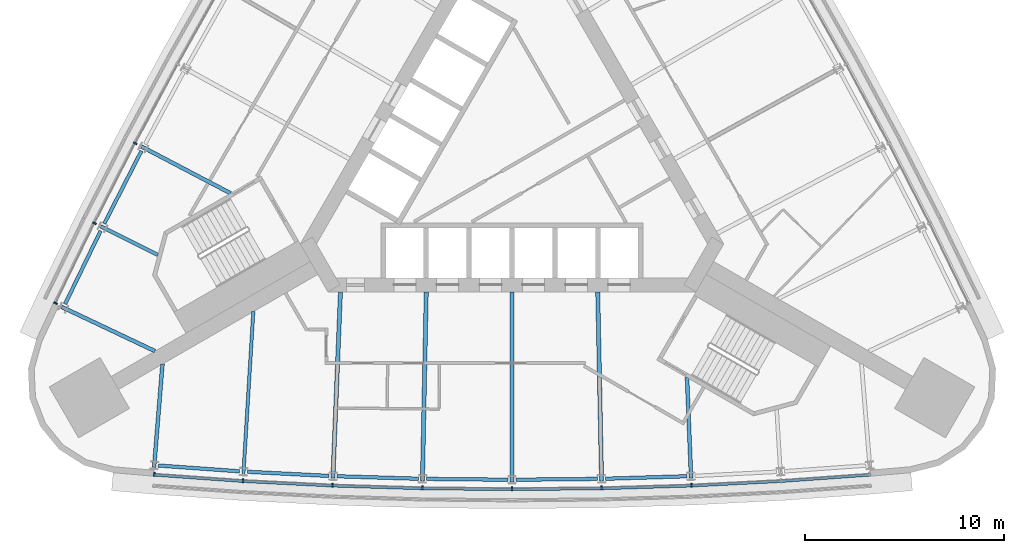
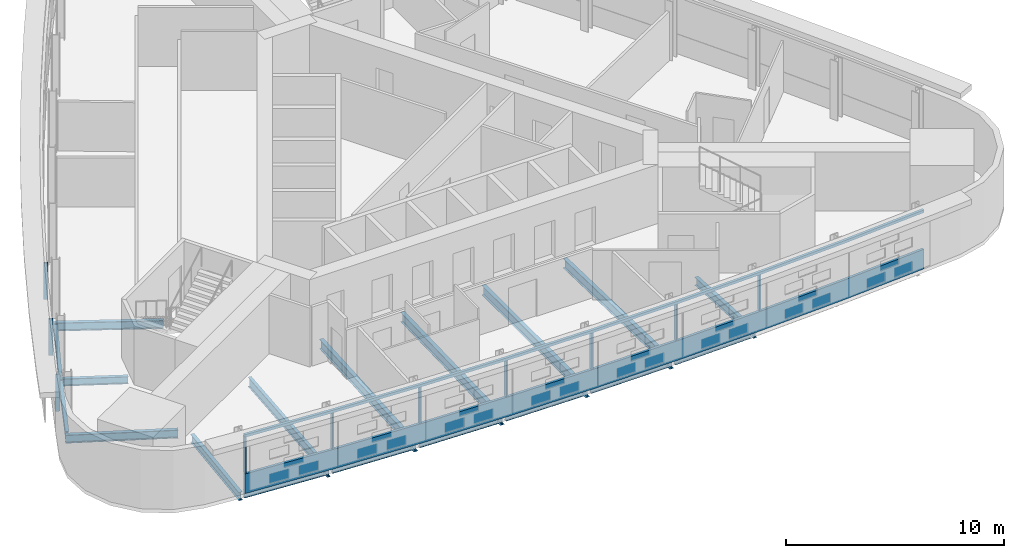
# One storey, part 2 of 11: 18 beams, 12 members, 2 elements without a shape of their own.
"""IFC4 building model written with IfcOpenShell, lengths in metres."""

from ifc_helpers import new_model, si_unit, direction, frame, origin, origin_2d, place, context, subcontext, project, spatial, polyline, rectangle, i_section, outline, extrude, material, material_profile, profile_set, type_object, element, aggregate, save


model = new_model("IFC4")

# Units and contexts
model_context = context("Model", 3, precision=1e-05, world=origin(), true_north=direction((0.0, 1.0)))
body_context = subcontext(model_context, "Body", "Model", "MODEL_VIEW")
ifc_project = project(units=[si_unit("LENGTHUNIT", "METRE"), si_unit("AREAUNIT", "SQUARE_METRE"), si_unit("VOLUMEUNIT", "CUBIC_METRE"), si_unit("PLANEANGLEUNIT", "RADIAN"), si_unit("MASSUNIT", "GRAM", prefix="KILO")], contexts=[model_context])

# Site, building, storey
site_placement = place(None, origin())
site = spatial("IfcSite", under=ifc_project, at=site_placement, CompositionType="ELEMENT")
building_placement = place(site_placement, origin())
building = spatial("IfcBuilding", under=site, at=building_placement, Name="Noor Cloister Tower", CompositionType="ELEMENT")
storey_placement = place(building_placement, frame((0.0, 0.0, 123.89990234375)))
storey = spatial("IfcBuildingStorey", under=building, at=storey_placement, Name="L32", CompositionType="ELEMENT", Elevation=123.89990234375)

# Curtain wall, member
ifc_material_1 = material(Name="Aluminium 6063-T6 anodised", Category="aluminium")
curtain_wall_type = type_object("IfcCurtainWallType", Name="Ribbon curtain wall, lower tower CW1", PredefinedType="NOTDEFINED", material=ifc_material_1)
curtain_wall_1_placement = place(storey_placement, origin())
curtain_wall_1 = element("IfcCurtainWall", 1, at=curtain_wall_1_placement, inside=storey, type_object=curtain_wall_type, Name="CW1 L32 S run 2", PredefinedType="NOTDEFINED")
ifc_material_2 = material(Name="Aluminium 6063-T6 anodised", Category="aluminium")
member_type_1 = type_object("IfcMemberType", Name="Head transom CW1 150", PredefinedType="USERDEFINED", material=ifc_material_2)
member_1_placement = place(storey_placement, frame((0.0, 0.0, 3.150146484375)))
member_1 = element("IfcMember", 2, at=member_1_placement, type_object=member_type_1, Name="CW1 head transom", ObjectType="TRANSOM", PredefinedType="USERDEFINED", context=body_context, shape_type="SweptSolid", body=[
    extrude(outline(polyline([(-17.980224609375, -16.1689453125), (-13.49169921875, -16.48828125), (-8.99755859375, -16.716552734375), (-4.499755859375, -16.853515625), (0.0, -16.899169921875), (4.499755859375, -16.853515625), (8.99755859375, -16.716552734375), (13.49169921875, -16.48828125), (17.980224609375, -16.1689453125), (17.97021484375, -16.029296875), (13.483154296875, -16.3486328125), (8.991943359375, -16.57666015625), (4.496826171875, -16.713623046875), (0.0, -16.759033203125), (-4.496826171875, -16.713623046875), (-8.991943359375, -16.57666015625), (-13.483154296875, -16.3486328125), (-17.97021484375, -16.029296875), (-17.980224609375, -16.1689453125)])), origin(), (0.0, 0.0, 1.0), 0.14990234375),
])

# Curtain wall, members
curtain_wall_2_placement = place(storey_placement, origin())
curtain_wall_2 = element("IfcCurtainWall", 3, at=curtain_wall_2_placement, inside=storey, type_object=curtain_wall_type, Name="CW1 L32 NW run 1", PredefinedType="NOTDEFINED")
ifc_material_3 = material(Name="Aluminium 6063-T6 anodised", Category="aluminium")
ifc_material_profile_1 = material_profile(ifc_material_3, rectangle(XDim=0.199951171875, YDim=0.080078125, at=origin_2d()), Name="200 x 80 mullion")
ifc_profile_set_1 = profile_set([ifc_material_profile_1], Name="Aluminium 6063-T6 anodised")
member_type_2 = type_object("IfcMemberType", Name="Mullion CW1 80 x 200", PredefinedType="MULLION", material=ifc_profile_set_1)
member_2_placement = place(storey_placement, frame((-18.88720703125, 0.519775390625, 1.10009765625), z_axis=(0.0, 0.0, 1.0), x_axis=(0.885601336169, -0.464446200733, 0.0)))
member_2 = element("IfcMember", 4, at=member_2_placement, type_object=member_type_2, Name="CW1 mullion 7", PredefinedType="MULLION", context=body_context, shape_type="SweptSolid", body=[
    extrude(rectangle(XDim=0.199951171875, YDim=0.080078125, at=origin_2d()), origin(), (0.0, 0.0, 1.0), 2.050048828125),
])
member_3_placement = place(storey_placement, frame((-20.935546875, -3.484619140625, 1.10009765625), z_axis=(0.0, 0.0, 1.0), x_axis=(0.894844162674, -0.446378678398, 0.0)))
member_3 = element("IfcMember", 5, at=member_3_placement, type_object=member_type_2, Name="CW1 mullion 8", PredefinedType="MULLION", context=body_context, shape_type="SweptSolid", body=[
    extrude(rectangle(XDim=0.199951171875, YDim=0.080078125, at=origin_2d()), origin(), (0.0, 0.0, 1.0), 2.050048828125),
])
member_4_placement = place(storey_placement, frame((-22.885498046875, -7.49462890625, 1.10009765625), z_axis=(0.0, 0.0, 1.0), x_axis=(0.899327595933, -0.437275514056, 0.0)))
member_4 = element("IfcMember", 6, at=member_4_placement, type_object=member_type_2, Name="CW1 mullion 9", PredefinedType="MULLION", context=body_context, shape_type="SweptSolid", body=[
    extrude(rectangle(XDim=0.199951171875, YDim=0.080078125, at=origin_2d()), origin(), (0.0, 0.0, 1.0), 2.050048828125),
])
aggregate(curtain_wall_2, [member_2, member_3, member_4])

# Member
member_5_placement = place(storey_placement, frame((-17.933349609375, -16.072021484375, 1.10009765625), z_axis=(0.0, 0.0, 1.0), x_axis=(0.070972094341, 0.997478301431, 0.0)))
member_5 = element("IfcMember", 7, at=member_5_placement, type_object=member_type_2, Name="CW1 mullion 1", PredefinedType="MULLION", context=body_context, shape_type="SweptSolid", body=[
    extrude(rectangle(XDim=0.199951171875, YDim=0.080078125, at=origin_2d()), origin(), (0.0, 0.0, 1.0), 2.050048828125),
])

member_6_placement = place(storey_placement, frame((-13.485595703125, -16.388427734375, 1.10009765625), z_axis=(0.0, 0.0, 1.0), x_axis=(0.060846806136, 0.998147116503, 0.0)))
member_6 = element("IfcMember", 8, at=member_6_placement, type_object=member_type_2, Name="CW1 mullion 2", PredefinedType="MULLION", context=body_context, shape_type="SweptSolid", body=[
    extrude(rectangle(XDim=0.199951171875, YDim=0.080078125, at=origin_2d()), origin(), (0.0, 0.0, 1.0), 2.050048828125),
])

member_7_placement = place(storey_placement, frame((-8.993408203125, -16.61669921875, 1.10009765625), z_axis=(0.0, 0.0, 1.0), x_axis=(0.040578459559, 0.999176355114, 0.0)))
member_7 = element("IfcMember", 9, at=member_7_placement, type_object=member_type_2, Name="CW1 mullion 3", PredefinedType="MULLION", context=body_context, shape_type="SweptSolid", body=[
    extrude(rectangle(XDim=0.199951171875, YDim=0.080078125, at=origin_2d()), origin(), (0.0, 0.0, 1.0), 2.050048828125),
])

member_8_placement = place(storey_placement, frame((-4.49755859375, -16.75341796875, 1.10009765625), z_axis=(0.0, 0.0, 1.0), x_axis=(0.020293417575, 0.999794067397, 0.0)))
member_8 = element("IfcMember", 10, at=member_8_placement, type_object=member_type_2, Name="CW1 mullion 4", PredefinedType="MULLION", context=body_context, shape_type="SweptSolid", body=[
    extrude(rectangle(XDim=0.199951171875, YDim=0.080078125, at=origin_2d()), origin(), (0.0, 0.0, 1.0), 2.050048828125),
])

member_9_placement = place(storey_placement, frame((0.0, -16.799072265625, 1.10009765625), z_axis=(0.0, 0.0, 1.0), x_axis=(0.0, 1.0, 0.0)))
member_9 = element("IfcMember", 11, at=member_9_placement, type_object=member_type_2, Name="CW1 mullion 5", PredefinedType="MULLION", context=body_context, shape_type="SweptSolid", body=[
    extrude(rectangle(XDim=0.199951171875, YDim=0.080078125, at=origin_2d()), origin(), (0.0, 0.0, 1.0), 2.050048828125),
])

member_10_placement = place(storey_placement, frame((4.49755859375, -16.75341796875, 1.10009765625), z_axis=(0.0, 0.0, 1.0), x_axis=(-0.020293417575, 0.999794067397, 0.0)))
member_10 = element("IfcMember", 12, at=member_10_placement, type_object=member_type_2, Name="CW1 mullion 6", PredefinedType="MULLION", context=body_context, shape_type="SweptSolid", body=[
    extrude(rectangle(XDim=0.199951171875, YDim=0.080078125, at=origin_2d()), origin(), (0.0, 0.0, 1.0), 2.050048828125),
])

member_11_placement = place(storey_placement, frame((8.993408203125, -16.61669921875, 1.10009765625), z_axis=(0.0, 0.0, 1.0), x_axis=(-0.040578459559, 0.999176355114, 0.0)))
member_11 = element("IfcMember", 13, at=member_11_placement, type_object=member_type_2, Name="CW1 mullion 7", PredefinedType="MULLION", context=body_context, shape_type="SweptSolid", body=[
    extrude(rectangle(XDim=0.199951171875, YDim=0.080078125, at=origin_2d()), origin(), (0.0, 0.0, 1.0), 2.050048828125),
])

# Beams
ifc_material_4 = material(Name="Steel ASTM A992 Gr 50", Category="steel")
ifc_material_profile_2 = material_profile(ifc_material_4, i_section(OverallWidth=0.177978515625, OverallDepth=0.406005859375, WebThickness=0.0078125, FlangeThickness=0.0126953125, FilletRadius=0.01025390625, at=origin_2d()), Name="W410x60")
ifc_profile_set_2 = profile_set([ifc_material_profile_2], Name="Steel ASTM A992 Gr 50")
beam_type_1 = type_object("IfcBeamType", Name="Radial beam W410x60", PredefinedType="BEAM", material=ifc_profile_set_2)
beam_1_placement = place(storey_placement, frame((-20.622802734375, -3.640625, -0.40283203125), z_axis=(0.894837673451, -0.446391686943, 0.0), x_axis=(0.446391686943, 0.894837673451, 0.0)))
element("IfcBeam", 14, at=beam_1_placement, inside=storey, type_object=beam_type_1, Name="Radial beam NW 08 L32", PredefinedType="BEAM", context=body_context, shape_type="SweptSolid", body=[
    extrude(i_section(OverallWidth=0.177978515625, OverallDepth=0.406005859375, WebThickness=0.0078125, FlangeThickness=0.0126953125, FilletRadius=0.01025390625, at=origin_2d()), origin(), (0.0, 0.0, 1.0), 3.208740234375),
])
ifc_material_5 = material(Name="Steel ASTM A992 Gr 50", Category="steel")
ifc_material_profile_3 = material_profile(ifc_material_5, i_section(OverallWidth=0.19091796875, OverallDepth=0.45703125, WebThickness=0.009033203125, FlangeThickness=0.014404296875, FilletRadius=0.01025390625, at=origin_2d()), Name="W460x74")
ifc_profile_set_3 = profile_set([ifc_material_profile_3], Name="Steel ASTM A992 Gr 50")
beam_type_2 = type_object("IfcBeamType", Name="Radial beam W460x74", PredefinedType="BEAM", material=ifc_profile_set_3)
beam_2_placement = place(storey_placement, frame((-18.57763671875, 0.357421875, -0.428466796875), z_axis=(0.885586063016, -0.464475322263, 0.0), x_axis=(0.464475322263, 0.885586063016, 0.0)))
element("IfcBeam", 15, at=beam_2_placement, inside=storey, type_object=beam_type_2, Name="Radial beam NW 07 L32", PredefinedType="BEAM", context=body_context, shape_type="SweptSolid", body=[
    extrude(i_section(OverallWidth=0.19091796875, OverallDepth=0.45703125, WebThickness=0.009033203125, FlangeThickness=0.014404296875, FilletRadius=0.01025390625, at=origin_2d()), origin(), (0.0, 0.0, 1.0), 5.04443359375),
])
for number, where, z_axis, x_axis, name in (
    (16, (-22.586669921875, -7.67919921875, -0.428466796875), (0.903712923998, -0.428138938895, 0.0), (0.428138938895, 0.903712923998, 0.0), "Radial beam NW 09 L32"),
    (17, (-17.94384765625, -15.720947265625, -0.428466796875), (0.08108247603, 0.996707395418, 0.0), (-0.996707395418, 0.08108247603, 0.0), "Radial beam S 01 L32"),
):
    element("IfcBeam", number, at=place(storey_placement, frame(where, z_axis=z_axis, x_axis=x_axis)), inside=storey, type_object=beam_type_2, Name=name, PredefinedType="BEAM", context=body_context, shape_type="SweptSolid", body=[
        extrude(i_section(OverallWidth=0.19091796875, OverallDepth=0.45703125, WebThickness=0.009033203125, FlangeThickness=0.014404296875, FilletRadius=0.01025390625, at=origin_2d()), origin(), (0.0, 0.0, 1.0), 5.18798828125),
    ])
beam_3_placement = place(storey_placement, frame((8.979248046875, -16.267333984375, -0.428466796875), z_axis=(-0.040557544065, 0.999177204313, 0.0), x_axis=(-0.999177204313, -0.040557544065, 0.0)))
element("IfcBeam", 18, at=beam_3_placement, inside=storey, type_object=beam_type_2, Name="Radial beam S 07 L32", PredefinedType="BEAM", context=body_context, shape_type="SweptSolid", body=[
    extrude(i_section(OverallWidth=0.19091796875, OverallDepth=0.45703125, WebThickness=0.009033203125, FlangeThickness=0.014404296875, FilletRadius=0.01025390625, at=origin_2d()), origin(), (0.0, 0.0, 1.0), 5.04443359375),
])
ifc_material_6 = material(Name="Steel ASTM A992 Gr 50", Category="steel")
ifc_material_profile_4 = material_profile(ifc_material_6, i_section(OverallWidth=0.166015625, OverallDepth=0.528076171875, WebThickness=0.009765625, FlangeThickness=0.013671875, FilletRadius=0.0126953125, at=origin_2d()), Name="W530x74")
ifc_profile_set_4 = profile_set([ifc_material_profile_4], Name="Steel ASTM A992 Gr 50")
beam_type_3 = type_object("IfcBeamType", Name="Radial beam W530x74", PredefinedType="BEAM", material=ifc_profile_set_4)
beam_4_placement = place(storey_placement, frame((-13.46435546875, -16.03955078125, -0.4638671875), z_axis=(0.060842147734, 0.998147400467, 0.0), x_axis=(-0.998147400467, 0.060842147734, 0.0)))
element("IfcBeam", 19, at=beam_4_placement, inside=storey, type_object=beam_type_3, Name="Radial beam S 02 L32", PredefinedType="BEAM", context=body_context, shape_type="SweptSolid", body=[
    extrude(i_section(OverallWidth=0.166015625, OverallDepth=0.528076171875, WebThickness=0.009765625, FlangeThickness=0.013671875, FilletRadius=0.0126953125, at=origin_2d()), origin(), (0.0, 0.0, 1.0), 8.1337890625),
])
ifc_material_7 = material(Name="Steel ASTM A992 Gr 50", Category="steel")
ifc_material_profile_5 = material_profile(ifc_material_7, i_section(OverallWidth=0.208984375, OverallDepth=0.532958984375, WebThickness=0.01025390625, FlangeThickness=0.015625, FilletRadius=0.0126953125, at=origin_2d()), Name="W530x92")
ifc_profile_set_5 = profile_set([ifc_material_profile_5], Name="Steel ASTM A992 Gr 50")
beam_type_4 = type_object("IfcBeamType", Name="Radial beam W530x92", PredefinedType="BEAM", material=ifc_profile_set_5)
beam_5_placement = place(storey_placement, frame((-8.979248046875, -16.267333984375, -0.46630859375), z_axis=(0.040564707257, 0.999176913527, 0.0), x_axis=(-0.999176913527, 0.040564707257, 0.0)))
element("IfcBeam", 20, at=beam_5_placement, inside=storey, type_object=beam_type_4, Name="Radial beam S 03 L32", PredefinedType="BEAM", context=body_context, shape_type="SweptSolid", body=[
    extrude(i_section(OverallWidth=0.208984375, OverallDepth=0.532958984375, WebThickness=0.01025390625, FlangeThickness=0.015625, FilletRadius=0.0126953125, at=origin_2d()), origin(), (0.0, 0.0, 1.0), 9.346923828125),
])
beam_6_placement = place(storey_placement, frame((-4.490478515625, -16.404052734375, -0.46630859375), z_axis=(0.020272544362, 0.999794490856, 0.0), x_axis=(-0.999794490856, 0.020272544362, 0.0)))
element("IfcBeam", 21, at=beam_6_placement, inside=storey, type_object=beam_type_4, Name="Radial beam S 04 L32", PredefinedType="BEAM", context=body_context, shape_type="SweptSolid", body=[
    extrude(i_section(OverallWidth=0.208984375, OverallDepth=0.532958984375, WebThickness=0.01025390625, FlangeThickness=0.015625, FilletRadius=0.0126953125, at=origin_2d()), origin(), (0.0, 0.0, 1.0), 9.477783203125),
])
beam_7_placement = place(storey_placement, frame((0.0, -16.44970703125, -0.46630859375), z_axis=(0.0, 1.0, 0.0), x_axis=(-1.0, 0.0, 0.0)))
element("IfcBeam", 22, at=beam_7_placement, inside=storey, type_object=beam_type_4, Name="Radial beam S 05 L32", PredefinedType="BEAM", context=body_context, shape_type="SweptSolid", body=[
    extrude(i_section(OverallWidth=0.208984375, OverallDepth=0.532958984375, WebThickness=0.01025390625, FlangeThickness=0.015625, FilletRadius=0.0126953125, at=origin_2d()), origin(), (0.0, 0.0, 1.0), 9.521484375),
])
beam_8_placement = place(storey_placement, frame((4.490478515625, -16.404052734375, -0.46630859375), z_axis=(-0.020272544362, 0.999794490856, 0.0), x_axis=(-0.999794490856, -0.020272544362, 0.0)))
element("IfcBeam", 23, at=beam_8_placement, inside=storey, type_object=beam_type_4, Name="Radial beam S 06 L32", PredefinedType="BEAM", context=body_context, shape_type="SweptSolid", body=[
    extrude(i_section(OverallWidth=0.208984375, OverallDepth=0.532958984375, WebThickness=0.01025390625, FlangeThickness=0.015625, FilletRadius=0.0126953125, at=origin_2d()), origin(), (0.0, 0.0, 1.0), 9.477783203125),
])

# Member
ifc_material_8 = material(Name="Aluminium 6063-T6 anodised", Category="aluminium")
member_type_3 = type_object("IfcMemberType", Name="Sill transom CW1 1100", PredefinedType="USERDEFINED", material=ifc_material_8)
member_12_placement = place(storey_placement, origin())
member_12 = element("IfcMember", 24, at=member_12_placement, type_object=member_type_3, Name="CW1 sill transom", ObjectType="TRANSOM", PredefinedType="USERDEFINED", context=body_context, shape_type="SweptSolid", body=[
    extrude(outline(polyline([(-17.980224609375, -16.1689453125), (-13.49169921875, -16.48828125), (-8.99755859375, -16.716552734375), (-4.499755859375, -16.853515625), (0.0, -16.899169921875), (4.499755859375, -16.853515625), (8.99755859375, -16.716552734375), (13.49169921875, -16.48828125), (17.980224609375, -16.1689453125), (17.97021484375, -16.029296875), (13.483154296875, -16.3486328125), (8.991943359375, -16.57666015625), (4.496826171875, -16.713623046875), (0.0, -16.759033203125), (-4.496826171875, -16.713623046875), (-8.991943359375, -16.57666015625), (-13.483154296875, -16.3486328125), (-17.97021484375, -16.029296875), (-17.980224609375, -16.1689453125)])), origin(), (0.0, 0.0, 1.0), 1.10009765625),
])

aggregate(curtain_wall_1, [member_5, member_6, member_7, member_8, member_9, member_10, member_11, member_12, member_1])

# Beams
ifc_material_9 = material(Name="Steel ASTM A992 Gr 50", Category="steel")
ifc_material_profile_6 = material_profile(ifc_material_9, i_section(OverallWidth=0.177978515625, OverallDepth=0.406005859375, WebThickness=0.0078125, FlangeThickness=0.0126953125, FilletRadius=0.01025390625, at=origin_2d()), Name="W410x60")
ifc_profile_set_6 = profile_set([ifc_material_profile_6], Name="Steel ASTM A992 Gr 50")
beam_type_5 = type_object("IfcBeamType", Name="Spandrel beam W410x60", PredefinedType="SPANDREL", material=ifc_profile_set_6)
for number, where, z_axis, x_axis, name in (
    (25, (-18.579833984375, 0.13232421875, -0.40283203125), (-0.455436177251, -0.890268436176, 0.0), (0.890268436176, -0.455436177251, 0.0), "Spandrel beam NW 07 L32"),
    (26, (-20.62060546875, -3.86572265625, -0.40283203125), (-0.437296029783, -0.899317620386, 0.0), (0.899317620386, -0.437296029783, 0.0), "Spandrel beam NW 08 L32"),
):
    element("IfcBeam", number, at=place(storey_placement, frame(where, z_axis=z_axis, x_axis=x_axis)), inside=storey, type_object=beam_type_5, Name=name, PredefinedType="SPANDREL", context=body_context, shape_type="SweptSolid", body=[
        extrude(i_section(OverallWidth=0.177978515625, OverallDepth=0.406005859375, WebThickness=0.0078125, FlangeThickness=0.0126953125, FilletRadius=0.01025390625, at=origin_2d()), origin(), (0.0, 0.0, 1.0), 4.087890625),
    ])
beam_9_placement = place(storey_placement, frame((-17.735595703125, -15.635009765625, -0.40283203125), z_axis=(0.997479576003, -0.07095417857, 0.0), x_axis=(0.07095417857, 0.997479576003, 0.0)))
element("IfcBeam", 27, at=beam_9_placement, inside=storey, type_object=beam_type_5, Name="Spandrel beam S 01 L32", PredefinedType="SPANDREL", context=body_context, shape_type="SweptSolid", body=[
    extrude(i_section(OverallWidth=0.177978515625, OverallDepth=0.406005859375, WebThickness=0.0078125, FlangeThickness=0.0126953125, FilletRadius=0.01025390625, at=origin_2d()), origin(), (0.0, 0.0, 1.0), 4.087646484375),
])
for number, where, z_axis, x_axis, name in (
    (28, (-13.258056640625, -15.949462890625, -0.40283203125), (0.998713616936, -0.050706127304, 0.0), (0.050706127304, 0.998713616936, 0.0), "Spandrel beam S 02 L32"),
    (29, (-8.77490234375, -16.173095703125, -0.40283203125), (0.999536014209, -0.030459092211, 0.0), (0.030459092211, 0.999536014209, 0.0), "Spandrel beam S 03 L32"),
    (30, (-4.2880859375, -16.3056640625, -0.40283203125), (0.999948457235, -0.010152973645, 0.0), (0.010152973645, 0.999948457235, 0.0), "Spandrel beam S 04 L32"),
    (31, (0.200439453125, -16.34716796875, -0.40283203125), (0.999948457235, 0.010152973645, 0.0), (-0.010152973645, 0.999948457235, 0.0), "Spandrel beam S 05 L32"),
    (32, (4.68896484375, -16.297607421875, -0.40283203125), (0.999536014209, 0.030459092211, 0.0), (-0.030459092211, 0.999536014209, 0.0), "Spandrel beam S 06 L32"),
):
    element("IfcBeam", number, at=place(storey_placement, frame(where, z_axis=z_axis, x_axis=x_axis)), inside=storey, type_object=beam_type_5, Name=name, PredefinedType="SPANDREL", context=body_context, shape_type="SweptSolid", body=[
        extrude(i_section(OverallWidth=0.177978515625, OverallDepth=0.406005859375, WebThickness=0.0078125, FlangeThickness=0.0126953125, FilletRadius=0.01025390625, at=origin_2d()), origin(), (0.0, 0.0, 1.0), 4.087890625),
    ])

save(model, "model.ifc")
